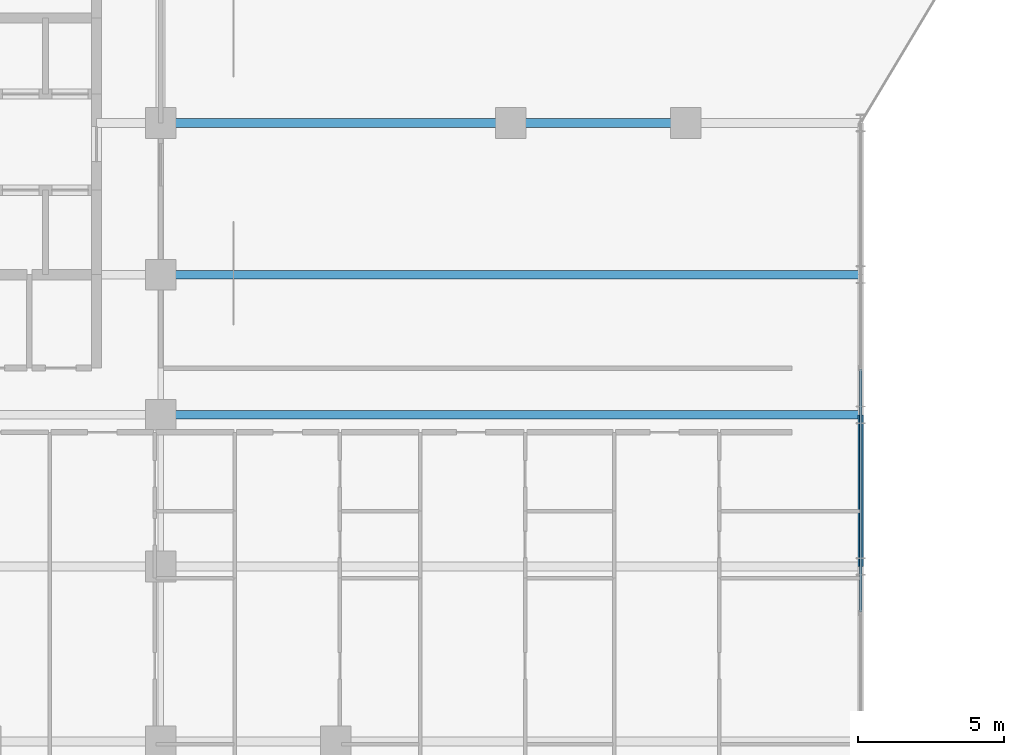
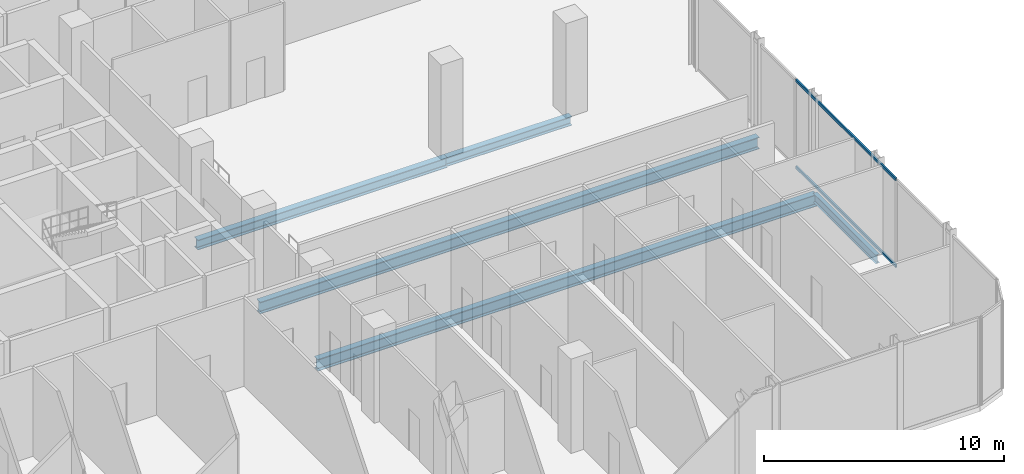
# One storey, part 11 of 29: 5 beams, 2 members, 1 element without a shape of its own.
"""IFC4 building model written with IfcOpenShell, lengths in metres."""

from ifc_helpers import new_model, si_unit, direction, frame, origin, origin_2d, place, context, subcontext, project, spatial, hollow_rectangle, i_section, extrude, material, layer, layer_set, material_profile, profile_set, type_object, element, aggregate, save


model = new_model("IFC4")

# Units and contexts
model_context = context("Model", 3, precision=1e-05, world=origin(), true_north=direction((0.0, 1.0)))
body_context = subcontext(model_context, "Body", "Model", "MODEL_VIEW")
ifc_project = project(units=[si_unit("LENGTHUNIT", "METRE"), si_unit("AREAUNIT", "SQUARE_METRE"), si_unit("VOLUMEUNIT", "CUBIC_METRE"), si_unit("PLANEANGLEUNIT", "RADIAN"), si_unit("MASSUNIT", "GRAM", prefix="KILO")], contexts=[model_context])

# Site, building, storey
site_placement = place(None, origin())
site = spatial("IfcSite", under=ifc_project, at=site_placement, CompositionType="ELEMENT")
building_placement = place(site_placement, origin())
building = spatial("IfcBuilding", under=site, at=building_placement, Name="Keshet Zoharim Tower", CompositionType="ELEMENT")
storey_placement = place(building_placement, frame((0.0, 0.0, 120.5)))
storey = spatial("IfcBuildingStorey", under=building, at=storey_placement, Name="L29", CompositionType="ELEMENT", Elevation=120.5)

# Beams
ifc_material_1 = material(Name="Steel S355", Category="steel")
ifc_material_profile_1 = material_profile(ifc_material_1, i_section(OverallWidth=0.300048828125, OverallDepth=0.60009765625, WebThickness=0.015380859375, FlangeThickness=0.030029296875, FilletRadius=0.027099609375, at=origin_2d()), Name="HEB600")
ifc_profile_set_1 = profile_set([ifc_material_profile_1], Name="Steel S355")
beam_type_1 = type_object("IfcBeamType", Name="BM-LNG-HB600", PredefinedType="BEAM", material=ifc_profile_set_1)
for number, where, z_axis, x_axis, name in (
    (1, (33.0, 17.89990234375, -0.6201171875), (1.0, 0.0, 0.0), (0.0, 1.0, 0.0), "L29 Primary Girder X-013"),
    (2, (33.0, 22.699951171875, -0.6201171875), (1.0, 0.0, 0.0), (0.0, 1.0, 0.0), "L29 Primary Girder X-014"),
):
    element("IfcBeam", number, at=place(storey_placement, frame(where, z_axis=z_axis, x_axis=x_axis)), inside=storey, type_object=beam_type_1, Name=name, PredefinedType="BEAM", context=body_context, shape_type="SweptSolid", body=[
        extrude(i_section(OverallWidth=0.300048828125, OverallDepth=0.60009765625, WebThickness=0.015380859375, FlangeThickness=0.030029296875, FilletRadius=0.027099609375, at=origin_2d()), origin(), (0.0, 0.0, 1.0), 24.0),
    ])
ifc_material_profile_2 = material_profile(ifc_material_1, i_section(OverallWidth=0.300048828125, OverallDepth=0.5, WebThickness=0.014404296875, FlangeThickness=0.028076171875, FilletRadius=0.027099609375, at=origin_2d()), Name="HEB500")
ifc_profile_set_2 = profile_set([ifc_material_profile_2], Name="Steel S355")
beam_type_2 = type_object("IfcBeamType", Name="BM-MED-HB500", PredefinedType="BEAM", material=ifc_profile_set_2)
beam_1_placement = place(storey_placement, frame((33.0, 27.89990234375, -0.570068359375), z_axis=(1.0, 0.0, 0.0), x_axis=(0.0, 1.0, 0.0)))
element("IfcBeam", 3, at=beam_1_placement, inside=storey, type_object=beam_type_2, Name="L29 Primary Girder X-015", PredefinedType="BEAM", context=body_context, shape_type="SweptSolid", body=[
    extrude(i_section(OverallWidth=0.300048828125, OverallDepth=0.5, WebThickness=0.014404296875, FlangeThickness=0.028076171875, FilletRadius=0.027099609375, at=origin_2d()), origin(), (0.0, 0.0, 1.0), 12.0),
])
ifc_material_profile_3 = material_profile(ifc_material_1, i_section(OverallWidth=0.18994140625, OverallDepth=0.449951171875, WebThickness=0.009521484375, FlangeThickness=0.0146484375, FilletRadius=0.02099609375, at=origin_2d()), Name="IPE450")
ifc_profile_set_3 = profile_set([ifc_material_profile_3], Name="Steel S355")
beam_type_3 = type_object("IfcBeamType", Name="BM-PRI-IP450", PredefinedType="BEAM", material=ifc_profile_set_3)
beam_2_placement = place(storey_placement, frame((57.0, 12.699951171875, -0.544921875), z_axis=(0.0, 1.0, 0.0), x_axis=(-1.0, 0.0, 0.0)))
element("IfcBeam", 4, at=beam_2_placement, inside=storey, type_object=beam_type_3, Name="L29 Primary Girder Y-014", PredefinedType="BEAM", context=body_context, shape_type="SweptSolid", body=[
    extrude(i_section(OverallWidth=0.18994140625, OverallDepth=0.449951171875, WebThickness=0.009521484375, FlangeThickness=0.0146484375, FilletRadius=0.02099609375, at=origin_2d()), origin(), (0.0, 0.0, 1.0), 5.199951171875),
])
ifc_material_profile_4 = material_profile(ifc_material_1, i_section(OverallWidth=0.300048828125, OverallDepth=0.449951171875, WebThickness=0.013916015625, FlangeThickness=0.02587890625, FilletRadius=0.027099609375, at=origin_2d()), Name="HEB450")
ifc_profile_set_4 = profile_set([ifc_material_profile_4], Name="Steel S355")
beam_type_4 = type_object("IfcBeamType", Name="BM-WEB-HB450", PredefinedType="BEAM", material=ifc_profile_set_4)
beam_3_placement = place(storey_placement, frame((45.0, 27.89990234375, -0.544921875), z_axis=(1.0, 0.0, 0.0), x_axis=(0.0, 1.0, 0.0)))
element("IfcBeam", 5, at=beam_3_placement, inside=storey, type_object=beam_type_4, Name="L29 Primary Girder X-016", PredefinedType="BEAM", context=body_context, shape_type="SweptSolid", body=[
    extrude(i_section(OverallWidth=0.300048828125, OverallDepth=0.449951171875, WebThickness=0.013916015625, FlangeThickness=0.02587890625, FilletRadius=0.027099609375, at=origin_2d()), origin(), (0.0, 0.0, 1.0), 6.0),
])

# Curtain wall, members
ifc_material_2 = material(Name="Aluminium 6063-T6", Category="aluminium")
ifc_layer = layer(ifc_material_2, 0.14990234375)
ifc_layer_set = layer_set([ifc_layer], Name="Aluminium 6063-T6")
curtain_wall_type = type_object("IfcCurtainWallType", Name="CW-SYS-04", PredefinedType="NOTDEFINED", material=ifc_layer_set)
curtain_wall_placement = place(storey_placement, origin())
curtain_wall = element("IfcCurtainWall", 6, at=curtain_wall_placement, inside=storey, type_object=curtain_wall_type, Name="L29 Unitised Curtain Wall 19", PredefinedType="NOTDEFINED")
ifc_material_profile_5 = material_profile(ifc_material_2, hollow_rectangle(XDim=0.080078125, YDim=0.139892578125, WallThickness=0.00390625, at=origin_2d()), Name="TRN-80x140")
ifc_profile_set_5 = profile_set([ifc_material_profile_5], Name="Aluminium 6063-T6")
member_type = type_object("IfcMemberType", Name="CWT-T14", PredefinedType="USERDEFINED", material=ifc_profile_set_5)
member_1_placement = place(storey_placement, frame((57.0, 19.465087890625, 0.034912109375), z_axis=(0.0, -1.0, 0.0), x_axis=(1.0, 0.0, 0.0)))
member_1 = element("IfcMember", 7, at=member_1_placement, type_object=member_type, Name="CW-04 transom 2.1", ObjectType="TRANSOM", PredefinedType="USERDEFINED", context=body_context, shape_type="SweptSolid", body=[
    extrude(hollow_rectangle(XDim=0.080078125, YDim=0.139892578125, WallThickness=0.00390625, at=origin_2d()), origin(), (0.0, 0.0, 1.0), 8.330078125),
])
member_2_placement = place(storey_placement, frame((57.0, 19.465087890625, 4.445068359375), z_axis=(0.0, -1.0, 0.0), x_axis=(1.0, 0.0, 0.0)))
member_2 = element("IfcMember", 8, at=member_2_placement, type_object=member_type, Name="CW-04 transom 2.2", ObjectType="TRANSOM", PredefinedType="USERDEFINED", context=body_context, shape_type="SweptSolid", body=[
    extrude(hollow_rectangle(XDim=0.080078125, YDim=0.139892578125, WallThickness=0.00390625, at=origin_2d()), origin(), (0.0, 0.0, 1.0), 8.330078125),
])
aggregate(curtain_wall, [member_1, member_2])

save(model, "model.ifc")
